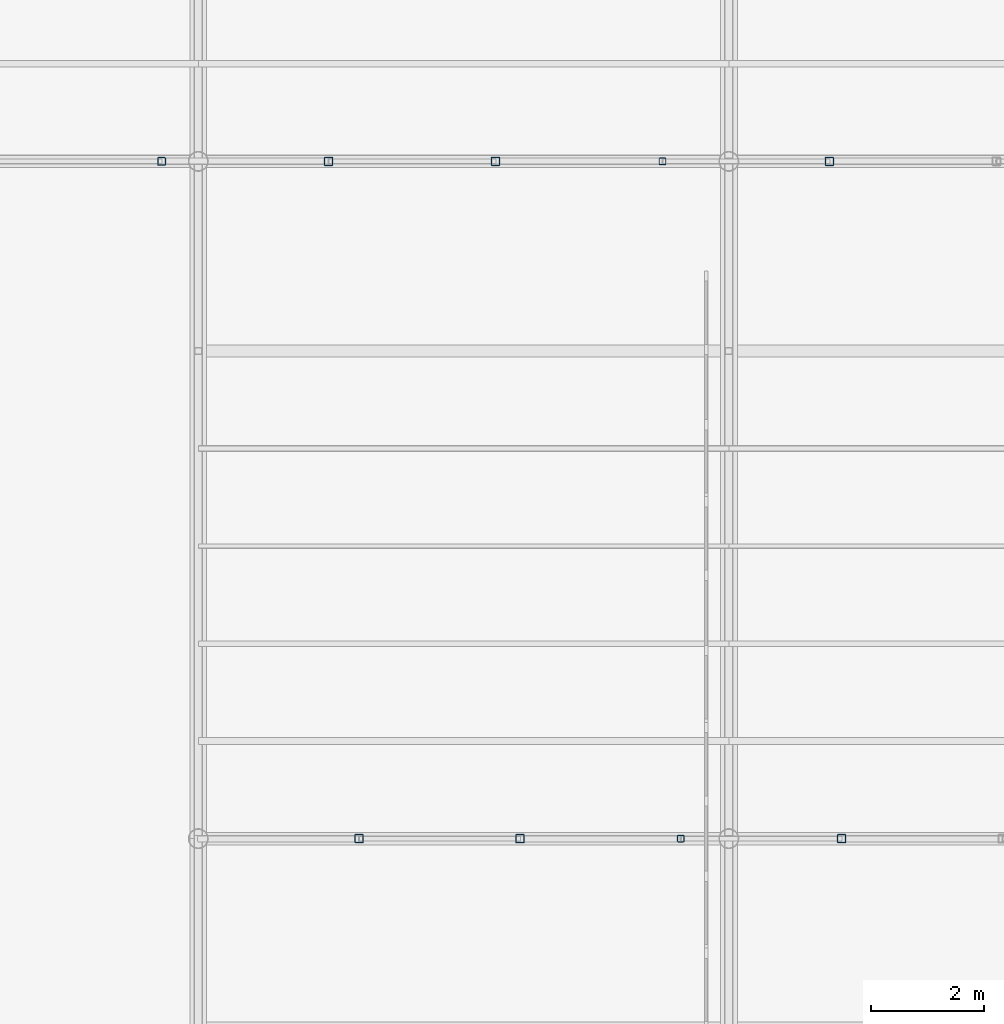
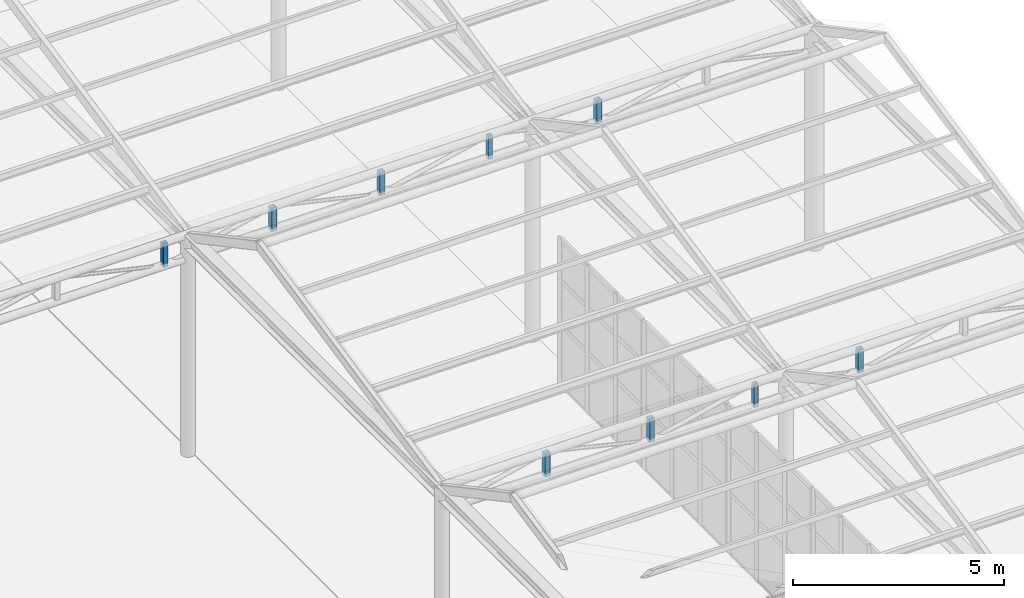
# One storey, part 60 of 118: 9 members.
"""IFC4 building model written with IfcOpenShell, lengths in metres."""

from ifc_helpers import new_model, si_unit, direction, frame, origin, origin_2d, place, context, subcontext, project, spatial, hollow_rectangle, extrude, material, material_profile, profile_set, type_object, element, save


model = new_model("IFC4")

# Units and contexts
model_context = context("Model", 3, precision=1e-05, world=origin(), true_north=direction((0.0, 1.0)))
body_context = subcontext(model_context, "Body", "Model", "MODEL_VIEW")
ifc_project = project(units=[si_unit("LENGTHUNIT", "METRE"), si_unit("AREAUNIT", "SQUARE_METRE"), si_unit("VOLUMEUNIT", "CUBIC_METRE"), si_unit("PLANEANGLEUNIT", "RADIAN"), si_unit("MASSUNIT", "GRAM", prefix="KILO")], contexts=[model_context])

# Site, building, storey
site_placement = place(None, origin())
site = spatial("IfcSite", under=ifc_project, at=site_placement, CompositionType="ELEMENT")
building_placement = place(site_placement, origin())
building = spatial("IfcBuilding", under=site, at=building_placement, Name="Kolvaren Corner Interchange", CompositionType="ELEMENT")
storey_placement = place(building_placement, origin())
storey = spatial("IfcBuildingStorey", under=building, at=storey_placement, Name="L01", CompositionType="ELEMENT", Elevation=0.0)

# Members
ifc_material_1 = material(Name="Steel S355", Category="steel")
ifc_material_profile_1 = material_profile(ifc_material_1, hollow_rectangle(XDim=0.1201171875, YDim=0.1201171875, WallThickness=0.00634765625, InnerFilletRadius=0.00634765625, OuterFilletRadius=0.0126953125, at=origin_2d()), Name="SHS 120x120x6.3")
ifc_profile_set_1 = profile_set([ifc_material_profile_1], Name="Steel S355")
member_type_1 = type_object("IfcMemberType", Name="MEM-PT-SHS120", PredefinedType="POST", material=ifc_profile_set_1)
for number, where, z_axis, x_axis, name in (
    (1, (154.949951171875, 66.0, 5.64990234375), (0.0, 0.0, 1.0), (1.0, 0.0, 0.0), "Bus Canopy Sawtooth Roof Truss 03 Web Post 04"),
    (2, (154.625, 78.0, 5.64990234375), (0.0, 0.0, 1.0), (1.0, 0.0, 0.0), "Bus Canopy Sawtooth Roof Truss 04 Web Post 10"),
):
    element("IfcMember", number, at=place(storey_placement, frame(where, z_axis=z_axis, x_axis=x_axis)), inside=storey, type_object=member_type_1, Name=name, PredefinedType="POST", context=body_context, shape_type="SweptSolid", body=[
        extrude(hollow_rectangle(XDim=0.1201171875, YDim=0.1201171875, WallThickness=0.00634765625, InnerFilletRadius=0.00634765625, OuterFilletRadius=0.0126953125, at=origin_2d()), origin(), (0.0, 0.0, 1.0), 0.670166015625),
    ])
ifc_material_2 = material(Name="Steel S355", Category="steel")
ifc_material_profile_2 = material_profile(ifc_material_2, hollow_rectangle(XDim=0.139892578125, YDim=0.139892578125, WallThickness=0.008056640625, InnerFilletRadius=0.008056640625, OuterFilletRadius=0.01611328125, at=origin_2d()), Name="SHS 140x140x8.0")
ifc_profile_set_2 = profile_set([ifc_material_profile_2], Name="Steel S355")
member_type_2 = type_object("IfcMemberType", Name="MEM-PT-SHS140", PredefinedType="POST", material=ifc_profile_set_2)
member_placement = place(storey_placement, frame((145.75, 78.0, 5.64990234375), z_axis=(0.0, 0.0, 1.0), x_axis=(1.0, 0.0, 0.0)))
element("IfcMember", 3, at=member_placement, inside=storey, type_object=member_type_2, Name="Bus Canopy Sawtooth Roof Truss 04 Web Post 07", PredefinedType="POST", context=body_context, shape_type="SweptSolid", body=[
    extrude(hollow_rectangle(XDim=0.139892578125, YDim=0.139892578125, WallThickness=0.008056640625, InnerFilletRadius=0.008056640625, OuterFilletRadius=0.01611328125, at=origin_2d()), origin(), (0.0, 0.0, 1.0), 0.670166015625),
])
ifc_material_3 = material(Name="Steel S355", Category="steel")
ifc_material_profile_3 = material_profile(ifc_material_3, hollow_rectangle(XDim=0.14990234375, YDim=0.14990234375, WallThickness=0.008056640625, InnerFilletRadius=0.008056640625, OuterFilletRadius=0.01611328125, at=origin_2d()), Name="SHS 150x150x8.0")
ifc_profile_set_3 = profile_set([ifc_material_profile_3], Name="Steel S355")
member_type_3 = type_object("IfcMemberType", Name="MEM-PT-SHS150", PredefinedType="POST", material=ifc_profile_set_3)
for number, where, z_axis, x_axis, name in (
    (4, (149.25, 66.0, 5.64990234375), (0.0, 0.0, 1.0), (1.0, 0.0, 0.0), "Bus Canopy Sawtooth Roof Truss 03 Web Post 02"),
    (5, (152.10009765625, 66.0, 5.64990234375), (0.0, 0.0, 1.0), (1.0, 0.0, 0.0), "Bus Canopy Sawtooth Roof Truss 03 Web Post 03"),
    (6, (157.800048828125, 66.0, 5.64990234375), (0.0, 0.0, 1.0), (1.0, 0.0, 0.0), "Bus Canopy Sawtooth Roof Truss 03 Web Post 05"),
    (7, (148.708251953125, 78.0, 5.64990234375), (0.0, 0.0, 1.0), (1.0, 0.0, 0.0), "Bus Canopy Sawtooth Roof Truss 04 Web Post 08"),
    (8, (151.666748046875, 78.0, 5.64990234375), (0.0, 0.0, 1.0), (1.0, 0.0, 0.0), "Bus Canopy Sawtooth Roof Truss 04 Web Post 09"),
    (9, (157.583251953125, 78.0, 5.64990234375), (0.0, 0.0, 1.0), (1.0, 0.0, 0.0), "Bus Canopy Sawtooth Roof Truss 04 Web Post 11"),
):
    element("IfcMember", number, at=place(storey_placement, frame(where, z_axis=z_axis, x_axis=x_axis)), inside=storey, type_object=member_type_3, Name=name, PredefinedType="POST", context=body_context, shape_type="SweptSolid", body=[
        extrude(hollow_rectangle(XDim=0.14990234375, YDim=0.14990234375, WallThickness=0.008056640625, InnerFilletRadius=0.008056640625, OuterFilletRadius=0.01611328125, at=origin_2d()), origin(), (0.0, 0.0, 1.0), 0.670166015625),
    ])

save(model, "model.ifc")
